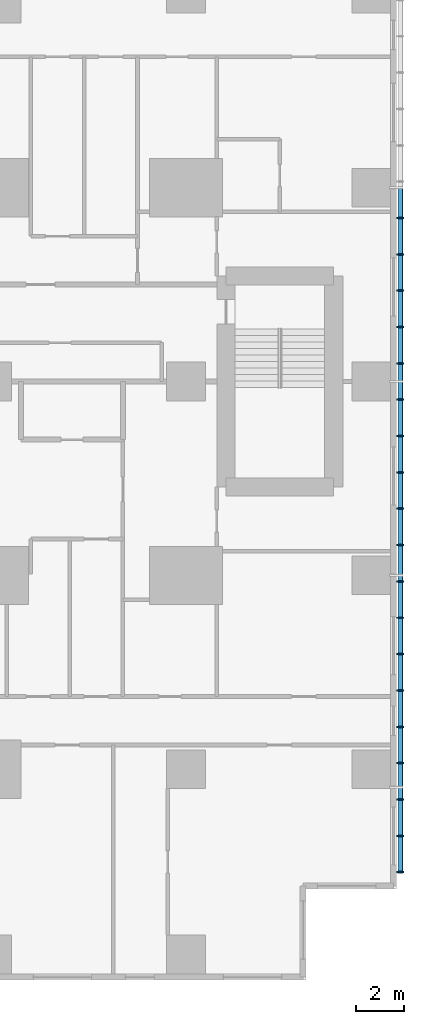
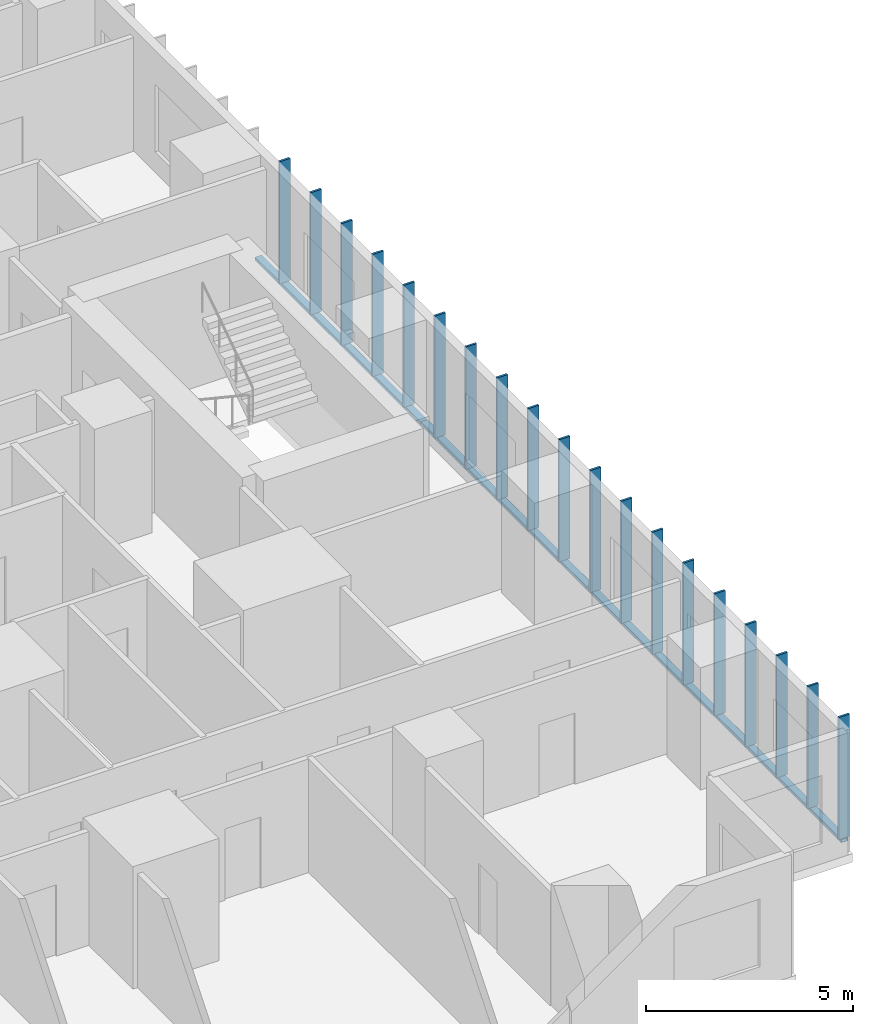
# One storey, part 3 of 14: 22 members.
"""IFC4 building model written with IfcOpenShell, lengths in metres."""

from ifc_helpers import new_model, si_unit, direction, frame, origin, origin_2d, place, context, subcontext, project, spatial, rectangle, hollow_rectangle, extrude, material, material_profile, profile_set, type_object, element, save


model = new_model("IFC4")

# Units and contexts
model_context = context("Model", 3, precision=1e-05, world=origin(), true_north=direction((0.0, 1.0)))
body_context = subcontext(model_context, "Body", "Model", "MODEL_VIEW")
ifc_project = project(units=[si_unit("LENGTHUNIT", "METRE"), si_unit("AREAUNIT", "SQUARE_METRE"), si_unit("VOLUMEUNIT", "CUBIC_METRE"), si_unit("PLANEANGLEUNIT", "RADIAN"), si_unit("MASSUNIT", "GRAM", prefix="KILO")], contexts=[model_context])

# Site, building, storey
site_placement = place(None, origin())
site = spatial("IfcSite", under=ifc_project, at=site_placement, CompositionType="ELEMENT")
building_placement = place(site_placement, origin())
building = spatial("IfcBuilding", under=site, at=building_placement, Name="Cleftline Residences", CompositionType="ELEMENT")
storey_placement = place(building_placement, frame((0.0, 0.0, 230.39990234375)))
storey = spatial("IfcBuildingStorey", under=building, at=storey_placement, Name="L60", CompositionType="ELEMENT", Elevation=230.39990234375)

# Members
ifc_material_1 = material(Name="Steel S355, hot-dip galvanised", Category="steel")
ifc_material_profile_1 = material_profile(ifc_material_1, hollow_rectangle(XDim=0.10009765625, YDim=0.199951171875, WallThickness=0.008056640625, InnerFilletRadius=0.008056640625, OuterFilletRadius=0.011962890625, at=origin_2d()))
ifc_profile_set_1 = profile_set([ifc_material_profile_1], Name="Steel S355, hot-dip galvanised")
member_type_1 = type_object("IfcMemberType", Name="BAGUETTE CARRIER RHS 200X100X8", PredefinedType="USERDEFINED", material=ifc_profile_set_1)
member_placement = place(storey_placement, frame((66.85009765625, 3.699951171875, -0.0498046875), z_axis=(0.0, 1.0, 0.0), x_axis=(0.0, 0.0, 1.0)))
element("IfcMember", 1, at=member_placement, inside=storey, type_object=member_type_1, Name="Baguette carrier", ObjectType="BAGUETTE CARRIER", PredefinedType="USERDEFINED", context=body_context, shape_type="SweptSolid", body=[
    extrude(hollow_rectangle(XDim=0.10009765625, YDim=0.199951171875, WallThickness=0.008056640625, InnerFilletRadius=0.008056640625, OuterFilletRadius=0.011962890625, at=origin_2d()), origin(), (0.0, 0.0, 1.0), 12.300048828125),
])
for number, where, z_axis, x_axis, name in (
    (2, (66.85009765625, 16.0, -0.0498046875), (0.0, 1.0, 0.0), (0.0, 0.0, 1.0), "Baguette carrier"),
    (3, (66.85009765625, 24.0, -0.0498046875), (0.0, 1.0, 0.0), (0.0, 0.0, 1.0), "Baguette carrier"),
):
    element("IfcMember", number, at=place(storey_placement, frame(where, z_axis=z_axis, x_axis=x_axis)), inside=storey, type_object=member_type_1, Name=name, ObjectType="BAGUETTE CARRIER", PredefinedType="USERDEFINED", context=body_context, shape_type="SweptSolid", body=[
        extrude(hollow_rectangle(XDim=0.10009765625, YDim=0.199951171875, WallThickness=0.008056640625, InnerFilletRadius=0.008056640625, OuterFilletRadius=0.011962890625, at=origin_2d()), origin(), (0.0, 0.0, 1.0), 8.0),
    ])
ifc_material_2 = material(Name="Extruded terracotta", Category="masonry")
ifc_material_profile_2 = material_profile(ifc_material_2, rectangle(XDim=0.06005859375, YDim=0.300048828125, at=origin_2d()))
ifc_profile_set_2 = profile_set([ifc_material_profile_2], Name="Extruded terracotta")
member_type_2 = type_object("IfcMemberType", Name="TERRACOTTA BAGUETTE 60X300", PredefinedType="USERDEFINED", material=ifc_profile_set_2)
for number, where, z_axis, x_axis, name in (
    (4, (66.85009765625, 3.75, 0.0), (0.0, 0.0, 1.0), (0.0, 1.0, 0.0), "Terracotta baguette"),
    (5, (66.85009765625, 5.25, 0.0), (0.0, 0.0, 1.0), (0.0, 1.0, 0.0), "Terracotta baguette"),
    (6, (66.85009765625, 6.75, 0.0), (0.0, 0.0, 1.0), (0.0, 1.0, 0.0), "Terracotta baguette"),
    (7, (66.85009765625, 8.25, 0.0), (0.0, 0.0, 1.0), (0.0, 1.0, 0.0), "Terracotta baguette"),
    (8, (66.85009765625, 9.75, 0.0), (0.0, 0.0, 1.0), (0.0, 1.0, 0.0), "Terracotta baguette"),
    (9, (66.85009765625, 11.25, 0.0), (0.0, 0.0, 1.0), (0.0, 1.0, 0.0), "Terracotta baguette"),
    (10, (66.85009765625, 12.75, 0.0), (0.0, 0.0, 1.0), (0.0, 1.0, 0.0), "Terracotta baguette"),
    (11, (66.85009765625, 14.25, 0.0), (0.0, 0.0, 1.0), (0.0, 1.0, 0.0), "Terracotta baguette"),
    (12, (66.85009765625, 15.75, 0.0), (0.0, 0.0, 1.0), (0.0, 1.0, 0.0), "Terracotta baguette"),
    (13, (66.85009765625, 17.25, 0.0), (0.0, 0.0, 1.0), (0.0, 1.0, 0.0), "Terracotta baguette"),
    (14, (66.85009765625, 18.75, 0.0), (0.0, 0.0, 1.0), (0.0, 1.0, 0.0), "Terracotta baguette"),
    (15, (66.85009765625, 20.25, 0.0), (0.0, 0.0, 1.0), (0.0, 1.0, 0.0), "Terracotta baguette"),
    (16, (66.85009765625, 21.75, 0.0), (0.0, 0.0, 1.0), (0.0, 1.0, 0.0), "Terracotta baguette"),
    (17, (66.85009765625, 23.25, 0.0), (0.0, 0.0, 1.0), (0.0, 1.0, 0.0), "Terracotta baguette"),
    (18, (66.85009765625, 24.75, 0.0), (0.0, 0.0, 1.0), (0.0, 1.0, 0.0), "Terracotta baguette"),
    (19, (66.85009765625, 26.25, 0.0), (0.0, 0.0, 1.0), (0.0, 1.0, 0.0), "Terracotta baguette"),
    (20, (66.85009765625, 27.75, 0.0), (0.0, 0.0, 1.0), (0.0, 1.0, 0.0), "Terracotta baguette"),
    (21, (66.85009765625, 29.25, 0.0), (0.0, 0.0, 1.0), (0.0, 1.0, 0.0), "Terracotta baguette"),
    (22, (66.85009765625, 30.75, 0.0), (0.0, 0.0, 1.0), (0.0, 1.0, 0.0), "Terracotta baguette"),
):
    element("IfcMember", number, at=place(storey_placement, frame(where, z_axis=z_axis, x_axis=x_axis)), inside=storey, type_object=member_type_2, Name=name, ObjectType="BAGUETTE", PredefinedType="USERDEFINED", context=body_context, shape_type="SweptSolid", body=[
        extrude(rectangle(XDim=0.06005859375, YDim=0.300048828125, at=origin_2d()), origin(), (0.0, 0.0, 1.0), 3.60009765625),
    ])

save(model, "model.ifc")
